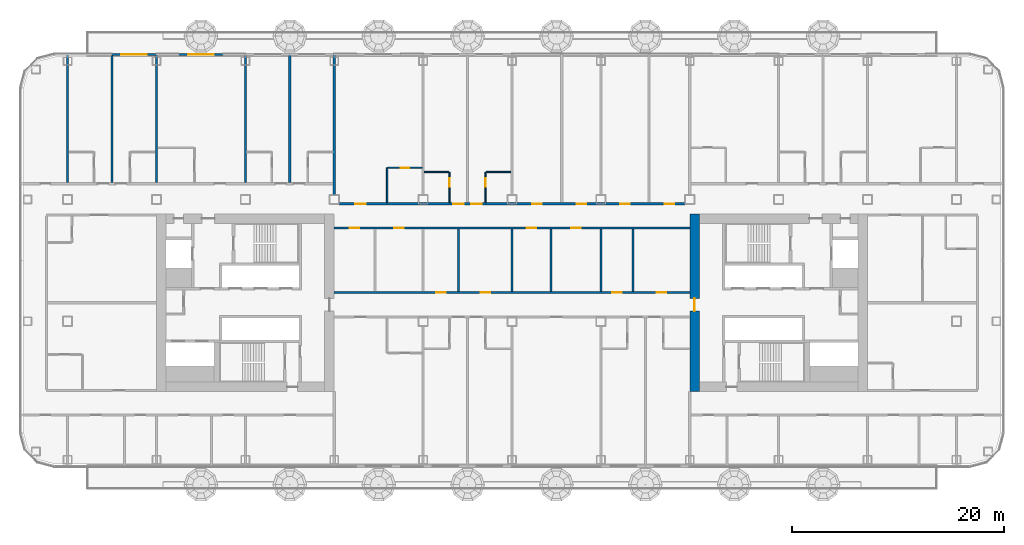
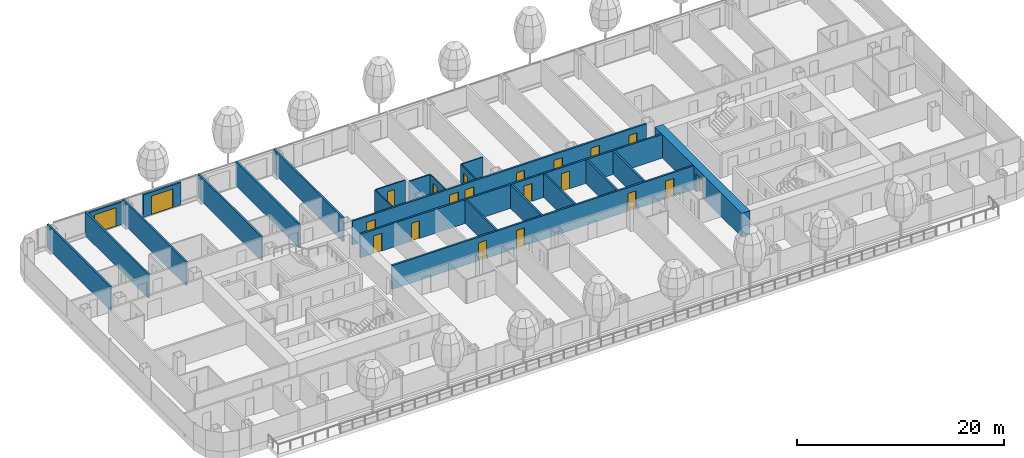
# One storey, part 14 of 33: 23 walls, 21 doors, 21 openings, 1 element without a shape of its own.
"""IFC4 building model written with IfcOpenShell, lengths in metres."""

from ifc_helpers import new_model, si_unit, direction, frame, frame_2d, origin, place, context, subcontext, project, spatial, rectangle, extrude, material, layer, layer_set, type_object, element, fill, aggregate, save


model = new_model("IFC4")

# Units and contexts
model_context = context("Model", 3, precision=1e-05, world=origin(), true_north=direction((0.0, 1.0)))
body_context = subcontext(model_context, "Body", "Model", "MODEL_VIEW")
ifc_project = project(units=[si_unit("LENGTHUNIT", "METRE"), si_unit("AREAUNIT", "SQUARE_METRE"), si_unit("VOLUMEUNIT", "CUBIC_METRE"), si_unit("PLANEANGLEUNIT", "RADIAN"), si_unit("MASSUNIT", "GRAM", prefix="KILO")], contexts=[model_context])

# Site, building, storey
site_placement = place(None, origin())
site = spatial("IfcSite", under=ifc_project, at=site_placement, CompositionType="ELEMENT")
building_placement = place(site_placement, origin())
building = spatial("IfcBuilding", under=site, at=building_placement, Name="Hakoniwa Tower and Hamabe Station Hall", CompositionType="ELEMENT")
storey_placement = place(building_placement, frame((0.0, 0.0, 81.800048828125)))
storey = spatial("IfcBuildingStorey", under=building, at=storey_placement, Name="L22", CompositionType="ELEMENT", Elevation=81.800048828125)

# Walls
ifc_material_1 = material(Name="Gypsum board partition", Category="gypsum")
ifc_layer_1 = layer(ifc_material_1, 0.125)
ifc_layer_set_1 = layer_set([ifc_layer_1], Name="Bathroom Partition 125")
wall_type_1 = type_object("IfcWallType", Name="Bathroom Partition 125", PredefinedType="PARTITIONING", material=ifc_layer_set_1)
wall_1_placement = place(storey_placement, frame((-8.300048828125, 12.35009765625, 0.0), z_axis=(0.0, 0.0, 1.0), x_axis=(1.0, 0.0, 0.0)))
element("IfcWall", 1, at=wall_1_placement, inside=storey, type_object=wall_type_1, Name="GW-L22-024", PredefinedType="PARTITIONING", context=body_context, shape_type="SweptSolid", body=[
    extrude(rectangle(XDim=2.337646484375, YDim=0.125, at=frame_2d((1.1689453125, 0.0))), origin(), (0.0, 0.0, 1.0), 2.800048828125),
])
wall_2_placement = place(storey_placement, frame((-2.4375, 12.35009765625, 0.0), z_axis=(0.0, 0.0, 1.0), x_axis=(1.0, 0.0, 0.0)))
element("IfcWall", 2, at=wall_2_placement, inside=storey, type_object=wall_type_1, Name="GW-L22-025", PredefinedType="PARTITIONING", context=body_context, shape_type="SweptSolid", body=[
    extrude(rectangle(XDim=2.33740234375, YDim=0.125, at=frame_2d((1.168701171875, 0.0))), origin(), (0.0, 0.0, 1.0), 2.800048828125),
])

# Wall, opening, door
wall_3_placement = place(storey_placement, frame((-11.737548828125, 12.75, 0.0), z_axis=(0.0, 0.0, 1.0), x_axis=(1.0, 0.0, 0.0)))
wall_3 = element("IfcWall", 3, at=wall_3_placement, inside=storey, type_object=wall_type_1, Name="GW-L22-026", PredefinedType="PARTITIONING", context=body_context, shape_type="SweptSolid", body=[
    extrude(rectangle(XDim=3.237548828125, YDim=0.125, at=frame_2d((1.61865234375, 0.0))), origin(), (0.0, 0.0, 1.0), 2.800048828125),
])
opening_1_placement = place(wall_3_placement, frame((1.237548828125, 0.0, 0.0)))
opening_1 = element("IfcOpeningElement", 4, at=opening_1_placement, cuts=wall_3, Name="Opening GD-G2C0-52", PredefinedType="OPENING", context=body_context, shape_type="SweptSolid", body=[
    extrude(rectangle(XDim=0.800048828125, YDim=2.10009765625, at=frame_2d((0.39990234375, 1.050048828125))), frame((0.0, 0.072509765625, 0.0), z_axis=(0.0, -1.0, 0.0), x_axis=(1.0, 0.0, 0.0)), (0.0, 0.0, 1.0), 0.14501953125),
])
ifc_material_2 = material(Name="Timber door leaf", Category="wood")
door_type_1 = type_object("IfcDoorType", Name="Bathroom Door 800", OperationType="SINGLE_SWING_LEFT", PredefinedType="DOOR", material=ifc_material_2)
door_1_placement = place(opening_1_placement, origin())
door_1 = element("IfcDoor", 5, at=door_1_placement, inside=storey, type_object=door_type_1, Name="Door GD-G2C0-52", OperationType="SINGLE_SWING_RIGHT", OverallHeight=2.10009765625, OverallWidth=0.800048828125, PredefinedType="DOOR", context=body_context, shape_type="SweptSolid", body=[
    extrude(rectangle(XDim=0.800048828125, YDim=2.10009765625, at=frame_2d((0.39990234375, 1.050048828125))), frame((0.0, 0.02490234375, 0.0), z_axis=(0.0, -1.0, 0.0), x_axis=(1.0, 0.0, 0.0)), (0.0, 0.0, 1.0), 0.050048828125),
])
fill(opening_1, door_1)

# Wall
wall_4_placement = place(storey_placement, frame((-11.800048828125, 9.449951171875, 0.0), z_axis=(0.0, 0.0, 1.0), x_axis=(0.0, 1.0, 0.0)))
element("IfcWall", 6, at=wall_4_placement, inside=storey, type_object=wall_type_1, Name="GW-L22-058", PredefinedType="PARTITIONING", context=body_context, shape_type="SweptSolid", body=[
    extrude(rectangle(XDim=3.300048828125, YDim=0.125, at=frame_2d((1.64990234375, 0.0))), origin(), (0.0, 0.0, 1.0), 2.800048828125),
])

# Wall, opening, door
wall_5_placement = place(storey_placement, frame((-5.89990234375, 9.449951171875, 0.0), z_axis=(0.0, 0.0, 1.0), x_axis=(0.0, 1.0, 0.0)))
wall_5 = element("IfcWall", 7, at=wall_5_placement, inside=storey, type_object=wall_type_1, Name="GW-L22-063", PredefinedType="PARTITIONING", context=body_context, shape_type="SweptSolid", body=[
    extrude(rectangle(XDim=2.900146484375, YDim=0.125, at=frame_2d((1.4501953125, 0.0))), origin(), (0.0, 0.0, 1.0), 2.800048828125),
])
opening_2_placement = place(wall_5_placement, frame((1.5, 0.0, 0.0)))
opening_2 = element("IfcOpeningElement", 8, at=opening_2_placement, cuts=wall_5, Name="Opening GD-G2C0-62", PredefinedType="OPENING", context=body_context, shape_type="SweptSolid", body=[
    extrude(rectangle(XDim=0.800048828125, YDim=2.10009765625, at=frame_2d((0.39990234375, 1.050048828125))), frame((0.0, 0.072509765625, 0.0), z_axis=(0.0, -1.0, 0.0), x_axis=(1.0, 0.0, 0.0)), (0.0, 0.0, 1.0), 0.14501953125),
])
door_2_placement = place(opening_2_placement, origin())
door_2 = element("IfcDoor", 9, at=door_2_placement, inside=storey, type_object=door_type_1, Name="Door GD-G2C0-62", OperationType="SINGLE_SWING_LEFT", OverallHeight=2.10009765625, OverallWidth=0.800048828125, PredefinedType="DOOR", context=body_context, shape_type="SweptSolid", body=[
    extrude(rectangle(XDim=0.800048828125, YDim=2.10009765625, at=frame_2d((0.39990234375, 1.050048828125))), frame((0.0, 0.02490234375, 0.0), z_axis=(0.0, -1.0, 0.0), x_axis=(1.0, 0.0, 0.0)), (0.0, 0.0, 1.0), 0.050048828125),
])
fill(opening_2, door_2)

wall_6_placement = place(storey_placement, frame((-2.5, 9.449951171875, 0.0), z_axis=(0.0, 0.0, 1.0), x_axis=(0.0, 1.0, 0.0)))
wall_6 = element("IfcWall", 10, at=wall_6_placement, inside=storey, type_object=wall_type_1, Name="GW-L22-068", PredefinedType="PARTITIONING", context=body_context, shape_type="SweptSolid", body=[
    extrude(rectangle(XDim=2.900146484375, YDim=0.125, at=frame_2d((1.4501953125, 0.0))), origin(), (0.0, 0.0, 1.0), 2.800048828125),
])
opening_3_placement = place(wall_6_placement, frame((1.5, 0.0, 0.0)))
opening_3 = element("IfcOpeningElement", 11, at=opening_3_placement, cuts=wall_6, Name="Opening GD-G2C0-64", PredefinedType="OPENING", context=body_context, shape_type="SweptSolid", body=[
    extrude(rectangle(XDim=0.800048828125, YDim=2.10009765625, at=frame_2d((0.39990234375, 1.050048828125))), frame((0.0, 0.072509765625, 0.0), z_axis=(0.0, -1.0, 0.0), x_axis=(1.0, 0.0, 0.0)), (0.0, 0.0, 1.0), 0.14501953125),
])
door_3_placement = place(opening_3_placement, origin())
door_3 = element("IfcDoor", 12, at=door_3_placement, inside=storey, type_object=door_type_1, Name="Door GD-G2C0-64", OperationType="SINGLE_SWING_RIGHT", OverallHeight=2.10009765625, OverallWidth=0.800048828125, PredefinedType="DOOR", context=body_context, shape_type="SweptSolid", body=[
    extrude(rectangle(XDim=0.800048828125, YDim=2.10009765625, at=frame_2d((0.39990234375, 1.050048828125))), frame((0.0, 0.02490234375, 0.0), z_axis=(0.0, -1.0, 0.0), x_axis=(1.0, 0.0, 0.0)), (0.0, 0.0, 1.0), 0.050048828125),
])
fill(opening_3, door_3)

ifc_material_3 = material(Name="Concrete C72", Category="concrete")
ifc_layer_2 = layer(ifc_material_3, 0.89990234375)
ifc_layer_set_2 = layer_set([ifc_layer_2], Name="CORE WALL 900 C72")
wall_type_2 = type_object("IfcWallType", Name="CORE WALL 900 C72", PredefinedType="SHEAR", material=ifc_layer_set_2)
wall_7_placement = place(storey_placement, frame((17.25, -8.39990234375, 0.0), z_axis=(0.0, 0.0, 1.0), x_axis=(0.0, 1.0, 0.0)))
wall_7 = element("IfcWall", 13, at=wall_7_placement, inside=storey, type_object=wall_type_2, Name="Core wall INNER east", PredefinedType="SHEAR", context=body_context, shape_type="SweptSolid", body=[
    extrude(rectangle(XDim=16.7998046875, YDim=0.89990234375, at=frame_2d((8.39990234375, 0.0))), origin(), (0.0, 0.0, 1.0), 2.800048828125),
])
opening_4_placement = place(wall_7_placement, frame((7.60009765625, 0.0, 0.0)))
opening_4 = element("IfcOpeningElement", 14, at=opening_4_placement, cuts=wall_7, Name="Opening CD-E-IN1-12", PredefinedType="OPENING", context=body_context, shape_type="SweptSolid", body=[
    extrude(rectangle(XDim=1.199951171875, YDim=2.10009765625, at=frame_2d((0.60009765625, 1.050048828125))), frame((0.0, 0.4599609375, 0.0), z_axis=(0.0, -1.0, 0.0), x_axis=(1.0, 0.0, 0.0)), (0.0, 0.0, 1.0), 0.919921875),
])
ifc_material_4 = material(Name="Steel fire door", Category="steel")
door_type_2 = type_object("IfcDoorType", Name="CORE DOOR 1200 FD60", OperationType="DOUBLE_DOOR_SINGLE_SWING", PredefinedType="DOOR", material=ifc_material_4)
door_4_placement = place(opening_4_placement, origin())
door_4 = element("IfcDoor", 15, at=door_4_placement, inside=storey, type_object=door_type_2, Name="Lift lobby door", OperationType="DOUBLE_DOOR_SINGLE_SWING", OverallHeight=2.10009765625, OverallWidth=1.199951171875, PredefinedType="DOOR", context=body_context, shape_type="SweptSolid", body=[
    extrude(rectangle(XDim=1.199951171875, YDim=2.10009765625, at=frame_2d((0.60009765625, 1.050048828125))), frame((0.0, 0.02490234375, 0.0), z_axis=(0.0, -1.0, 0.0), x_axis=(1.0, 0.0, 0.0)), (0.0, 0.0, 1.0), 0.050048828125),
])
fill(opening_4, door_4)

# Wall, openings, doors
ifc_material_5 = material(Name="Fire-rated gypsum board partition", Category="gypsum")
ifc_layer_3 = layer(ifc_material_5, 0.199951171875)
ifc_layer_set_3 = layer_set([ifc_layer_3], Name="Corridor Wall 200")
wall_type_3 = type_object("IfcWallType", Name="Corridor Wall 200", PredefinedType="PARTITIONING", material=ifc_layer_set_3)
wall_8_placement = place(storey_placement, frame((-16.800048828125, 0.949951171875, 0.0), z_axis=(0.0, 0.0, 1.0), x_axis=(1.0, 0.0, 0.0)))
wall_8 = element("IfcWall", 16, at=wall_8_placement, inside=storey, type_object=wall_type_3, Name="GW-L22-015", PredefinedType="PARTITIONING", context=body_context, shape_type="SweptSolid", body=[
    extrude(rectangle(XDim=33.60009765625, YDim=0.199951171875, at=frame_2d((16.800048828125, 0.0))), origin(), (0.0, 0.0, 1.0), 2.800048828125),
])
opening_5_placement = place(wall_8_placement, frame((9.6298828125, 0.0, 0.0)))
opening_5 = element("IfcOpeningElement", 17, at=opening_5_placement, cuts=wall_8, Name="Opening GD-G2C0-23", PredefinedType="OPENING", context=body_context, shape_type="SweptSolid", body=[
    extrude(rectangle(XDim=0.89990234375, YDim=2.10009765625, at=frame_2d((0.449951171875, 1.050048828125))), frame((0.0, 0.10986328125, 0.0), z_axis=(0.0, -1.0, 0.0), x_axis=(1.0, 0.0, 0.0)), (0.0, 0.0, 1.0), 0.219970703125),
])
opening_6_placement = place(wall_8_placement, frame((13.830078125, 0.0, 0.0)))
opening_6 = element("IfcOpeningElement", 18, at=opening_6_placement, cuts=wall_8, Name="Opening GD-G2C0-24", PredefinedType="OPENING", context=body_context, shape_type="SweptSolid", body=[
    extrude(rectangle(XDim=0.89990234375, YDim=2.10009765625, at=frame_2d((0.449951171875, 1.050048828125))), frame((0.0, 0.10986328125, 0.0), z_axis=(0.0, -1.0, 0.0), x_axis=(1.0, 0.0, 0.0)), (0.0, 0.0, 1.0), 0.219970703125),
])
opening_7_placement = place(wall_8_placement, frame((26.260009765625, 0.0, 0.0)))
opening_7 = element("IfcOpeningElement", 19, at=opening_7_placement, cuts=wall_8, Name="Opening GD-G2C0-25", PredefinedType="OPENING", context=body_context, shape_type="SweptSolid", body=[
    extrude(rectangle(XDim=0.89990234375, YDim=2.10009765625, at=frame_2d((0.449951171875, 1.050048828125))), frame((0.0, 0.10986328125, 0.0), z_axis=(0.0, -1.0, 0.0), x_axis=(1.0, 0.0, 0.0)), (0.0, 0.0, 1.0), 0.219970703125),
])
opening_8_placement = place(wall_8_placement, frame((30.4599609375, 0.0, 0.0)))
opening_8 = element("IfcOpeningElement", 20, at=opening_8_placement, cuts=wall_8, Name="Opening GD-G2C0-26", PredefinedType="OPENING", context=body_context, shape_type="SweptSolid", body=[
    extrude(rectangle(XDim=0.89990234375, YDim=2.10009765625, at=frame_2d((0.449951171875, 1.050048828125))), frame((0.0, 0.10986328125, 0.0), z_axis=(0.0, -1.0, 0.0), x_axis=(1.0, 0.0, 0.0)), (0.0, 0.0, 1.0), 0.219970703125),
])
ifc_material_6 = material(Name="Timber door leaf", Category="wood")
door_type_3 = type_object("IfcDoorType", Name="Service Door 900", OperationType="SINGLE_SWING_LEFT", PredefinedType="DOOR", material=ifc_material_6)
door_5_placement = place(opening_5_placement, origin())
door_5 = element("IfcDoor", 21, at=door_5_placement, inside=storey, type_object=door_type_3, Name="Door GD-G2C0-23", OperationType="SINGLE_SWING_LEFT", OverallHeight=2.10009765625, OverallWidth=0.89990234375, PredefinedType="DOOR", context=body_context, shape_type="SweptSolid", body=[
    extrude(rectangle(XDim=0.89990234375, YDim=2.10009765625, at=frame_2d((0.449951171875, 1.050048828125))), frame((0.0, 0.02490234375, 0.0), z_axis=(0.0, -1.0, 0.0), x_axis=(1.0, 0.0, 0.0)), (0.0, 0.0, 1.0), 0.050048828125),
])
fill(opening_5, door_5)
door_6_placement = place(opening_6_placement, origin())
door_6 = element("IfcDoor", 22, at=door_6_placement, inside=storey, type_object=door_type_3, Name="Door GD-G2C0-24", OperationType="SINGLE_SWING_RIGHT", OverallHeight=2.10009765625, OverallWidth=0.89990234375, PredefinedType="DOOR", context=body_context, shape_type="SweptSolid", body=[
    extrude(rectangle(XDim=0.89990234375, YDim=2.10009765625, at=frame_2d((0.449951171875, 1.050048828125))), frame((0.0, 0.02490234375, 0.0), z_axis=(0.0, -1.0, 0.0), x_axis=(1.0, 0.0, 0.0)), (0.0, 0.0, 1.0), 0.050048828125),
])
fill(opening_6, door_6)
door_7_placement = place(opening_7_placement, origin())
door_7 = element("IfcDoor", 23, at=door_7_placement, inside=storey, type_object=door_type_3, Name="Door GD-G2C0-25", OperationType="SINGLE_SWING_LEFT", OverallHeight=2.10009765625, OverallWidth=0.89990234375, PredefinedType="DOOR", context=body_context, shape_type="SweptSolid", body=[
    extrude(rectangle(XDim=0.89990234375, YDim=2.10009765625, at=frame_2d((0.449951171875, 1.050048828125))), frame((0.0, 0.02490234375, 0.0), z_axis=(0.0, -1.0, 0.0), x_axis=(1.0, 0.0, 0.0)), (0.0, 0.0, 1.0), 0.050048828125),
])
fill(opening_7, door_7)
door_8_placement = place(opening_8_placement, origin())
door_8 = element("IfcDoor", 24, at=door_8_placement, inside=storey, type_object=door_type_3, Name="Door GD-G2C0-26", OperationType="SINGLE_SWING_RIGHT", OverallHeight=2.10009765625, OverallWidth=0.89990234375, PredefinedType="DOOR", context=body_context, shape_type="SweptSolid", body=[
    extrude(rectangle(XDim=0.89990234375, YDim=2.10009765625, at=frame_2d((0.449951171875, 1.050048828125))), frame((0.0, 0.02490234375, 0.0), z_axis=(0.0, -1.0, 0.0), x_axis=(1.0, 0.0, 0.0)), (0.0, 0.0, 1.0), 0.050048828125),
])
fill(opening_8, door_8)

wall_9_placement = place(storey_placement, frame((-16.800048828125, 7.050048828125, 0.0), z_axis=(0.0, 0.0, 1.0), x_axis=(1.0, 0.0, 0.0)))
wall_9 = element("IfcWall", 25, at=wall_9_placement, inside=storey, type_object=wall_type_3, Name="GW-L22-018", PredefinedType="PARTITIONING", context=body_context, shape_type="SweptSolid", body=[
    extrude(rectangle(XDim=33.60009765625, YDim=0.199951171875, at=frame_2d((16.800048828125, 0.0))), origin(), (0.0, 0.0, 1.0), 2.800048828125),
])
opening_9_placement = place(wall_9_placement, frame((1.47998046875, 0.0, 0.0)))
opening_9 = element("IfcOpeningElement", 26, at=opening_9_placement, cuts=wall_9, Name="Opening GD-G2C0-28", PredefinedType="OPENING", context=body_context, shape_type="SweptSolid", body=[
    extrude(rectangle(XDim=0.89990234375, YDim=2.10009765625, at=frame_2d((0.449951171875, 1.050048828125))), frame((0.0, 0.10986328125, 0.0), z_axis=(0.0, -1.0, 0.0), x_axis=(1.0, 0.0, 0.0)), (0.0, 0.0, 1.0), 0.219970703125),
])
opening_10_placement = place(wall_9_placement, frame((5.679931640625, 0.0, 0.0)))
opening_10 = element("IfcOpeningElement", 27, at=opening_10_placement, cuts=wall_9, Name="Opening GD-G2C0-29", PredefinedType="OPENING", context=body_context, shape_type="SweptSolid", body=[
    extrude(rectangle(XDim=0.89990234375, YDim=2.10009765625, at=frame_2d((0.449951171875, 1.050048828125))), frame((0.0, 0.10986328125, 0.0), z_axis=(0.0, -1.0, 0.0), x_axis=(1.0, 0.0, 0.0)), (0.0, 0.0, 1.0), 0.219970703125),
])
opening_11_placement = place(wall_9_placement, frame((18.199951171875, 0.0, 0.0)))
opening_11 = element("IfcOpeningElement", 28, at=opening_11_placement, cuts=wall_9, Name="Opening GD-G2C0-30", PredefinedType="OPENING", context=body_context, shape_type="SweptSolid", body=[
    extrude(rectangle(XDim=0.89990234375, YDim=2.10009765625, at=frame_2d((0.449951171875, 1.050048828125))), frame((0.0, 0.10986328125, 0.0), z_axis=(0.0, -1.0, 0.0), x_axis=(1.0, 0.0, 0.0)), (0.0, 0.0, 1.0), 0.219970703125),
])
opening_12_placement = place(wall_9_placement, frame((22.39990234375, 0.0, 0.0)))
opening_12 = element("IfcOpeningElement", 29, at=opening_12_placement, cuts=wall_9, Name="Opening GD-G2C0-31", PredefinedType="OPENING", context=body_context, shape_type="SweptSolid", body=[
    extrude(rectangle(XDim=0.89990234375, YDim=2.10009765625, at=frame_2d((0.449951171875, 1.050048828125))), frame((0.0, 0.10986328125, 0.0), z_axis=(0.0, -1.0, 0.0), x_axis=(1.0, 0.0, 0.0)), (0.0, 0.0, 1.0), 0.219970703125),
])
door_9_placement = place(opening_9_placement, origin())
door_9 = element("IfcDoor", 30, at=door_9_placement, inside=storey, type_object=door_type_3, Name="Door GD-G2C0-28", OperationType="SINGLE_SWING_RIGHT", OverallHeight=2.10009765625, OverallWidth=0.89990234375, PredefinedType="DOOR", context=body_context, shape_type="SweptSolid", body=[
    extrude(rectangle(XDim=0.89990234375, YDim=2.10009765625, at=frame_2d((0.449951171875, 1.050048828125))), frame((0.0, 0.02490234375, 0.0), z_axis=(0.0, -1.0, 0.0), x_axis=(1.0, 0.0, 0.0)), (0.0, 0.0, 1.0), 0.050048828125),
])
fill(opening_9, door_9)
door_10_placement = place(opening_10_placement, origin())
door_10 = element("IfcDoor", 31, at=door_10_placement, inside=storey, type_object=door_type_3, Name="Door GD-G2C0-29", OperationType="SINGLE_SWING_RIGHT", OverallHeight=2.10009765625, OverallWidth=0.89990234375, PredefinedType="DOOR", context=body_context, shape_type="SweptSolid", body=[
    extrude(rectangle(XDim=0.89990234375, YDim=2.10009765625, at=frame_2d((0.449951171875, 1.050048828125))), frame((0.0, 0.02490234375, 0.0), z_axis=(0.0, -1.0, 0.0), x_axis=(1.0, 0.0, 0.0)), (0.0, 0.0, 1.0), 0.050048828125),
])
fill(opening_10, door_10)
door_11_placement = place(opening_11_placement, origin())
door_11 = element("IfcDoor", 32, at=door_11_placement, inside=storey, type_object=door_type_3, Name="Door GD-G2C0-30", OperationType="SINGLE_SWING_RIGHT", OverallHeight=2.10009765625, OverallWidth=0.89990234375, PredefinedType="DOOR", context=body_context, shape_type="SweptSolid", body=[
    extrude(rectangle(XDim=0.89990234375, YDim=2.10009765625, at=frame_2d((0.449951171875, 1.050048828125))), frame((0.0, 0.02490234375, 0.0), z_axis=(0.0, -1.0, 0.0), x_axis=(1.0, 0.0, 0.0)), (0.0, 0.0, 1.0), 0.050048828125),
])
fill(opening_11, door_11)
door_12_placement = place(opening_12_placement, origin())
door_12 = element("IfcDoor", 33, at=door_12_placement, inside=storey, type_object=door_type_3, Name="Door GD-G2C0-31", OperationType="SINGLE_SWING_LEFT", OverallHeight=2.10009765625, OverallWidth=0.89990234375, PredefinedType="DOOR", context=body_context, shape_type="SweptSolid", body=[
    extrude(rectangle(XDim=0.89990234375, YDim=2.10009765625, at=frame_2d((0.449951171875, 1.050048828125))), frame((0.0, 0.02490234375, 0.0), z_axis=(0.0, -1.0, 0.0), x_axis=(1.0, 0.0, 0.0)), (0.0, 0.0, 1.0), 0.050048828125),
])
fill(opening_12, door_12)

wall_10_placement = place(storey_placement, frame((-16.360107421875, 9.35009765625, 0.0), z_axis=(0.0, 0.0, 1.0), x_axis=(1.0, 0.0, 0.0)))
wall_10 = element("IfcWall", 34, at=wall_10_placement, inside=storey, type_object=wall_type_3, Name="GW-L22-021", PredefinedType="PARTITIONING", context=body_context, shape_type="SweptSolid", body=[
    extrude(rectangle(XDim=32.72021484375, YDim=0.199951171875, at=frame_2d((16.360107421875, 0.0))), origin(), (0.0, 0.0, 1.0), 2.800048828125),
])
opening_13_placement = place(wall_10_placement, frame((1.56005859375, 0.0, 0.0)))
opening_13 = element("IfcOpeningElement", 35, at=opening_13_placement, cuts=wall_10, Name="Opening GD-G2C0-34", PredefinedType="OPENING", context=body_context, shape_type="SweptSolid", body=[
    extrude(rectangle(XDim=1.0, YDim=2.10009765625, at=frame_2d((0.5, 1.050048828125))), frame((0.0, 0.10986328125, 0.0), z_axis=(0.0, -1.0, 0.0), x_axis=(1.0, 0.0, 0.0)), (0.0, 0.0, 1.0), 0.219970703125),
])
opening_14_placement = place(wall_10_placement, frame((10.81005859375, 0.0, 0.0)))
opening_14 = element("IfcOpeningElement", 36, at=opening_14_placement, cuts=wall_10, Name="Opening GD-G2C0-35", PredefinedType="OPENING", context=body_context, shape_type="SweptSolid", body=[
    extrude(rectangle(XDim=1.0, YDim=2.10009765625, at=frame_2d((0.5, 1.050048828125))), frame((0.0, 0.10986328125, 0.0), z_axis=(0.0, -1.0, 0.0), x_axis=(1.0, 0.0, 0.0)), (0.0, 0.0, 1.0), 0.219970703125),
])
opening_15_placement = place(wall_10_placement, frame((12.510009765625, 0.0, 0.0)))
opening_15 = element("IfcOpeningElement", 37, at=opening_15_placement, cuts=wall_10, Name="Opening GD-G2C0-36", PredefinedType="OPENING", context=body_context, shape_type="SweptSolid", body=[
    extrude(rectangle(XDim=1.0, YDim=2.10009765625, at=frame_2d((0.5, 1.050048828125))), frame((0.0, 0.10986328125, 0.0), z_axis=(0.0, -1.0, 0.0), x_axis=(1.0, 0.0, 0.0)), (0.0, 0.0, 1.0), 0.219970703125),
])
opening_16_placement = place(wall_10_placement, frame((18.260009765625, 0.0, 0.0)))
opening_16 = element("IfcOpeningElement", 38, at=opening_16_placement, cuts=wall_10, Name="Opening GD-G2C0-37", PredefinedType="OPENING", context=body_context, shape_type="SweptSolid", body=[
    extrude(rectangle(XDim=0.89990234375, YDim=2.10009765625, at=frame_2d((0.449951171875, 1.050048828125))), frame((0.0, 0.10986328125, 0.0), z_axis=(0.0, -1.0, 0.0), x_axis=(1.0, 0.0, 0.0)), (0.0, 0.0, 1.0), 0.219970703125),
])
opening_17_placement = place(wall_10_placement, frame((22.4599609375, 0.0, 0.0)))
opening_17 = element("IfcOpeningElement", 39, at=opening_17_placement, cuts=wall_10, Name="Opening GD-G2C0-38", PredefinedType="OPENING", context=body_context, shape_type="SweptSolid", body=[
    extrude(rectangle(XDim=0.89990234375, YDim=2.10009765625, at=frame_2d((0.449951171875, 1.050048828125))), frame((0.0, 0.10986328125, 0.0), z_axis=(0.0, -1.0, 0.0), x_axis=(1.0, 0.0, 0.0)), (0.0, 0.0, 1.0), 0.219970703125),
])
opening_18_placement = place(wall_10_placement, frame((26.580078125, 0.0, 0.0)))
opening_18 = element("IfcOpeningElement", 40, at=opening_18_placement, cuts=wall_10, Name="Opening GD-G2C0-39", PredefinedType="OPENING", context=body_context, shape_type="SweptSolid", body=[
    extrude(rectangle(XDim=0.89990234375, YDim=2.10009765625, at=frame_2d((0.449951171875, 1.050048828125))), frame((0.0, 0.10986328125, 0.0), z_axis=(0.0, -1.0, 0.0), x_axis=(1.0, 0.0, 0.0)), (0.0, 0.0, 1.0), 0.219970703125),
])
opening_19_placement = place(wall_10_placement, frame((30.780029296875, 0.0, 0.0)))
opening_19 = element("IfcOpeningElement", 41, at=opening_19_placement, cuts=wall_10, Name="Opening GD-G2C0-40", PredefinedType="OPENING", context=body_context, shape_type="SweptSolid", body=[
    extrude(rectangle(XDim=0.89990234375, YDim=2.10009765625, at=frame_2d((0.449951171875, 1.050048828125))), frame((0.0, 0.10986328125, 0.0), z_axis=(0.0, -1.0, 0.0), x_axis=(1.0, 0.0, 0.0)), (0.0, 0.0, 1.0), 0.219970703125),
])
ifc_material_7 = material(Name="Timber door leaf", Category="wood")
door_type_4 = type_object("IfcDoorType", Name="Guest Entrance Door 1000", OperationType="SINGLE_SWING_LEFT", PredefinedType="DOOR", material=ifc_material_7)
door_13_placement = place(opening_13_placement, origin())
door_13 = element("IfcDoor", 42, at=door_13_placement, inside=storey, type_object=door_type_4, Name="Door GD-G2C0-34", OperationType="SINGLE_SWING_LEFT", OverallHeight=2.10009765625, OverallWidth=1.0, PredefinedType="DOOR", context=body_context, shape_type="SweptSolid", body=[
    extrude(rectangle(XDim=1.0, YDim=2.10009765625, at=frame_2d((0.5, 1.050048828125))), frame((0.0, 0.02490234375, 0.0), z_axis=(0.0, -1.0, 0.0), x_axis=(1.0, 0.0, 0.0)), (0.0, 0.0, 1.0), 0.050048828125),
])
fill(opening_13, door_13)
door_14_placement = place(opening_14_placement, origin())
door_14 = element("IfcDoor", 43, at=door_14_placement, inside=storey, type_object=door_type_4, Name="Door GD-G2C0-35", OperationType="SINGLE_SWING_RIGHT", OverallHeight=2.10009765625, OverallWidth=1.0, PredefinedType="DOOR", context=body_context, shape_type="SweptSolid", body=[
    extrude(rectangle(XDim=1.0, YDim=2.10009765625, at=frame_2d((0.5, 1.050048828125))), frame((0.0, 0.02490234375, 0.0), z_axis=(0.0, -1.0, 0.0), x_axis=(1.0, 0.0, 0.0)), (0.0, 0.0, 1.0), 0.050048828125),
])
fill(opening_14, door_14)
door_15_placement = place(opening_15_placement, origin())
door_15 = element("IfcDoor", 44, at=door_15_placement, inside=storey, type_object=door_type_4, Name="Door GD-G2C0-36", OperationType="SINGLE_SWING_LEFT", OverallHeight=2.10009765625, OverallWidth=1.0, PredefinedType="DOOR", context=body_context, shape_type="SweptSolid", body=[
    extrude(rectangle(XDim=1.0, YDim=2.10009765625, at=frame_2d((0.5, 1.050048828125))), frame((0.0, 0.02490234375, 0.0), z_axis=(0.0, -1.0, 0.0), x_axis=(1.0, 0.0, 0.0)), (0.0, 0.0, 1.0), 0.050048828125),
])
fill(opening_15, door_15)
door_16_placement = place(opening_16_placement, origin())
door_16 = element("IfcDoor", 45, at=door_16_placement, inside=storey, type_object=door_type_3, Name="Door GD-G2C0-37", OperationType="SINGLE_SWING_RIGHT", OverallHeight=2.10009765625, OverallWidth=0.89990234375, PredefinedType="DOOR", context=body_context, shape_type="SweptSolid", body=[
    extrude(rectangle(XDim=0.89990234375, YDim=2.10009765625, at=frame_2d((0.449951171875, 1.050048828125))), frame((0.0, 0.02490234375, 0.0), z_axis=(0.0, -1.0, 0.0), x_axis=(1.0, 0.0, 0.0)), (0.0, 0.0, 1.0), 0.050048828125),
])
fill(opening_16, door_16)
door_17_placement = place(opening_17_placement, origin())
door_17 = element("IfcDoor", 46, at=door_17_placement, inside=storey, type_object=door_type_3, Name="Door GD-G2C0-38", OperationType="SINGLE_SWING_RIGHT", OverallHeight=2.10009765625, OverallWidth=0.89990234375, PredefinedType="DOOR", context=body_context, shape_type="SweptSolid", body=[
    extrude(rectangle(XDim=0.89990234375, YDim=2.10009765625, at=frame_2d((0.449951171875, 1.050048828125))), frame((0.0, 0.02490234375, 0.0), z_axis=(0.0, -1.0, 0.0), x_axis=(1.0, 0.0, 0.0)), (0.0, 0.0, 1.0), 0.050048828125),
])
fill(opening_17, door_17)
door_18_placement = place(opening_18_placement, origin())
door_18 = element("IfcDoor", 47, at=door_18_placement, inside=storey, type_object=door_type_3, Name="Door GD-G2C0-39", OperationType="SINGLE_SWING_RIGHT", OverallHeight=2.10009765625, OverallWidth=0.89990234375, PredefinedType="DOOR", context=body_context, shape_type="SweptSolid", body=[
    extrude(rectangle(XDim=0.89990234375, YDim=2.10009765625, at=frame_2d((0.449951171875, 1.050048828125))), frame((0.0, 0.02490234375, 0.0), z_axis=(0.0, -1.0, 0.0), x_axis=(1.0, 0.0, 0.0)), (0.0, 0.0, 1.0), 0.050048828125),
])
fill(opening_18, door_18)
door_19_placement = place(opening_19_placement, origin())
door_19 = element("IfcDoor", 48, at=door_19_placement, inside=storey, type_object=door_type_3, Name="Door GD-G2C0-40", OperationType="SINGLE_SWING_RIGHT", OverallHeight=2.10009765625, OverallWidth=0.89990234375, PredefinedType="DOOR", context=body_context, shape_type="SweptSolid", body=[
    extrude(rectangle(XDim=0.89990234375, YDim=2.10009765625, at=frame_2d((0.449951171875, 1.050048828125))), frame((0.0, 0.02490234375, 0.0), z_axis=(0.0, -1.0, 0.0), x_axis=(1.0, 0.0, 0.0)), (0.0, 0.0, 1.0), 0.050048828125),
])
fill(opening_19, door_19)

# Curtain wall, walls, openings, doors
ifc_material_8 = material(Name="Dark low-e laminated glass", Category="glass")
ifc_layer_4 = layer(ifc_material_8, 0.199951171875)
ifc_layer_set_4 = layer_set([ifc_layer_4], Name="CW-1 UNITISED GUEST")
curtain_wall_type = type_object("IfcCurtainWallType", Name="CW-1 UNITISED GUEST", PredefinedType="NOTDEFINED", material=ifc_layer_set_4)
curtain_wall_placement = place(storey_placement, origin())
curtain_wall = element("IfcCurtainWall", 49, at=curtain_wall_placement, inside=storey, type_object=curtain_wall_type, Name="CW-1 curtain wall", PredefinedType="NOTDEFINED")
ifc_material_9 = material(Name="Dark glass-faced aluminium panel", Category="aluminium")
ifc_layer_5 = layer(ifc_material_9, 0.199951171875)
ifc_layer_set_5 = layer_set([ifc_layer_5], Name="DOOR BAY WALL")
wall_type_4 = type_object("IfcWallType", Name="DOOR BAY WALL", PredefinedType="NOTDEFINED", material=ifc_layer_set_5)
wall_11_placement = place(storey_placement, frame((-27.2900390625, 23.449951171875, 0.0), z_axis=(0.0, 0.0, 1.0), x_axis=(-1.0, 0.0, 0.0)))
wall_11 = element("IfcWall", 50, at=wall_11_placement, type_object=wall_type_4, Name="Door bay wall", PredefinedType="NOTDEFINED", context=body_context, shape_type="SweptSolid", body=[
    extrude(rectangle(XDim=4.219970703125, YDim=0.199951171875, at=frame_2d((2.10986328125, 0.0))), origin(), (0.0, 0.0, 1.0), 2.64990234375),
])
opening_20_placement = place(wall_11_placement, frame((0.909912109375, 0.0, 0.0)))
opening_20 = element("IfcOpeningElement", 51, at=opening_20_placement, cuts=wall_11, Name="Opening BD-N03-14", PredefinedType="OPENING", context=body_context, shape_type="SweptSolid", body=[
    extrude(rectangle(XDim=2.39990234375, YDim=2.199951171875, at=frame_2d((1.199951171875, 1.10009765625))), frame((0.0, 0.10986328125, 0.0), z_axis=(0.0, -1.0, 0.0), x_axis=(1.0, 0.0, 0.0)), (0.0, 0.0, 1.0), 0.219970703125),
])
ifc_material_10 = material(Name="Dark low-e laminated glass", Category="glass")
door_type_5 = type_object("IfcDoorType", Name="BALCONY SLIDING DOOR 2400X2200", OperationType="SLIDING_TO_LEFT", PredefinedType="DOOR", material=ifc_material_10)
door_20_placement = place(opening_20_placement, frame((2.39990234375, 0.0, 0.0), z_axis=(0.0, 0.0, 1.0), x_axis=(-1.0, 0.0, 0.0)))
door_20 = element("IfcDoor", 52, at=door_20_placement, inside=storey, type_object=door_type_5, Name="Balcony sliding door", OperationType="SLIDING_TO_LEFT", OverallHeight=2.199951171875, OverallWidth=2.39990234375, PredefinedType="DOOR", context=body_context, shape_type="SweptSolid", body=[
    extrude(rectangle(XDim=2.39990234375, YDim=2.199951171875, at=frame_2d((1.199951171875, 1.10009765625))), frame((0.0, 0.02490234375, 0.0), z_axis=(0.0, -1.0, 0.0), x_axis=(1.0, 0.0, 0.0)), (0.0, 0.0, 1.0), 0.050048828125),
])
fill(opening_20, door_20)
wall_12_placement = place(storey_placement, frame((-33.6201171875, 23.449951171875, 0.0), z_axis=(0.0, 0.0, 1.0), x_axis=(-1.0, 0.0, 0.0)))
wall_12 = element("IfcWall", 53, at=wall_12_placement, type_object=wall_type_4, Name="Door bay wall", PredefinedType="NOTDEFINED", context=body_context, shape_type="SweptSolid", body=[
    extrude(rectangle(XDim=4.219970703125, YDim=0.199951171875, at=frame_2d((2.10986328125, 0.0))), origin(), (0.0, 0.0, 1.0), 2.64990234375),
])
opening_21_placement = place(wall_12_placement, frame((0.909912109375, 0.0, 0.0)))
opening_21 = element("IfcOpeningElement", 54, at=opening_21_placement, cuts=wall_12, Name="Opening BD-N03-13", PredefinedType="OPENING", context=body_context, shape_type="SweptSolid", body=[
    extrude(rectangle(XDim=2.39990234375, YDim=2.199951171875, at=frame_2d((1.199951171875, 1.10009765625))), frame((0.0, 0.10986328125, 0.0), z_axis=(0.0, -1.0, 0.0), x_axis=(1.0, 0.0, 0.0)), (0.0, 0.0, 1.0), 0.219970703125),
])
door_21_placement = place(opening_21_placement, frame((2.39990234375, 0.0, 0.0), z_axis=(0.0, 0.0, 1.0), x_axis=(-1.0, 0.0, 0.0)))
door_21 = element("IfcDoor", 55, at=door_21_placement, inside=storey, type_object=door_type_5, Name="Balcony sliding door", OperationType="SLIDING_TO_LEFT", OverallHeight=2.199951171875, OverallWidth=2.39990234375, PredefinedType="DOOR", context=body_context, shape_type="SweptSolid", body=[
    extrude(rectangle(XDim=2.39990234375, YDim=2.199951171875, at=frame_2d((1.199951171875, 1.10009765625))), frame((0.0, 0.02490234375, 0.0), z_axis=(0.0, -1.0, 0.0), x_axis=(1.0, 0.0, 0.0)), (0.0, 0.0, 1.0), 0.050048828125),
])
fill(opening_21, door_21)
aggregate(curtain_wall, [wall_11, wall_12])

# Walls
ifc_material_11 = material(Name="Fire-rated gypsum board partition", Category="gypsum")
ifc_layer_6 = layer(ifc_material_11, 0.199951171875)
ifc_layer_set_6 = layer_set([ifc_layer_6], Name="Party Wall 200")
wall_type_5 = type_object("IfcWallType", Name="Party Wall 200", PredefinedType="PARTITIONING", material=ifc_layer_set_6)
for number, where, z_axis, x_axis, name in (
    (56, (-42.0, 11.35009765625, 0.0), (0.0, 0.0, 1.0), (0.0, 1.0, 0.0), "GW-L22-038"),
    (57, (-37.800048828125, 11.35009765625, 0.0), (0.0, 0.0, 1.0), (0.0, 1.0, 0.0), "GW-L22-042"),
    (58, (-33.60009765625, 11.35009765625, 0.0), (0.0, 0.0, 1.0), (0.0, 1.0, 0.0), "GW-L22-046"),
    (59, (-25.199951171875, 11.35009765625, 0.0), (0.0, 0.0, 1.0), (0.0, 1.0, 0.0), "GW-L22-050"),
    (60, (-21.0, 11.35009765625, 0.0), (0.0, 0.0, 1.0), (0.0, 1.0, 0.0), "GW-L22-052"),
):
    element("IfcWall", number, at=place(storey_placement, frame(where, z_axis=z_axis, x_axis=x_axis)), inside=storey, type_object=wall_type_5, Name=name, PredefinedType="PARTITIONING", context=body_context, shape_type="SweptSolid", body=[
        extrude(rectangle(XDim=12.199951171875, YDim=0.199951171875, at=frame_2d((6.10009765625, 0.0))), origin(), (0.0, 0.0, 1.0), 2.800048828125),
    ])
wall_13_placement = place(storey_placement, frame((-16.800048828125, 10.18994140625, 0.0), z_axis=(0.0, 0.0, 1.0), x_axis=(0.0, 1.0, 0.0)))
element("IfcWall", 61, at=wall_13_placement, inside=storey, type_object=wall_type_5, Name="GW-L22-055", PredefinedType="PARTITIONING", context=body_context, shape_type="SweptSolid", body=[
    extrude(rectangle(XDim=13.360107421875, YDim=0.199951171875, at=frame_2d((6.68017578125, 0.0))), origin(), (0.0, 0.0, 1.0), 2.800048828125),
])
for number, where, z_axis, x_axis, name in (
    (62, (-5.0400390625, 1.050048828125, 0.0), (0.0, 0.0, 1.0), (0.0, 1.0, 0.0), "GW-L22-064"),
    (63, (0.0, 1.050048828125, 0.0), (0.0, 0.0, 1.0), (0.0, 1.0, 0.0), "GW-L22-070"),
    (64, (3.699951171875, 1.050048828125, 0.0), (0.0, 0.0, 1.0), (0.0, 1.0, 0.0), "GW-L22-072"),
    (65, (8.39990234375, 1.050048828125, 0.0), (0.0, 0.0, 1.0), (0.0, 1.0, 0.0), "GW-L22-075"),
    (66, (11.419921875, 1.050048828125, 0.0), (0.0, 0.0, 1.0), (0.0, 1.0, 0.0), "GW-L22-078"),
):
    element("IfcWall", number, at=place(storey_placement, frame(where, z_axis=z_axis, x_axis=x_axis)), inside=storey, type_object=wall_type_5, Name=name, PredefinedType="PARTITIONING", context=body_context, shape_type="SweptSolid", body=[
        extrude(rectangle(XDim=5.89990234375, YDim=0.199951171875, at=frame_2d((2.949951171875, 0.0))), origin(), (0.0, 0.0, 1.0), 2.800048828125),
    ])

save(model, "model.ifc")
